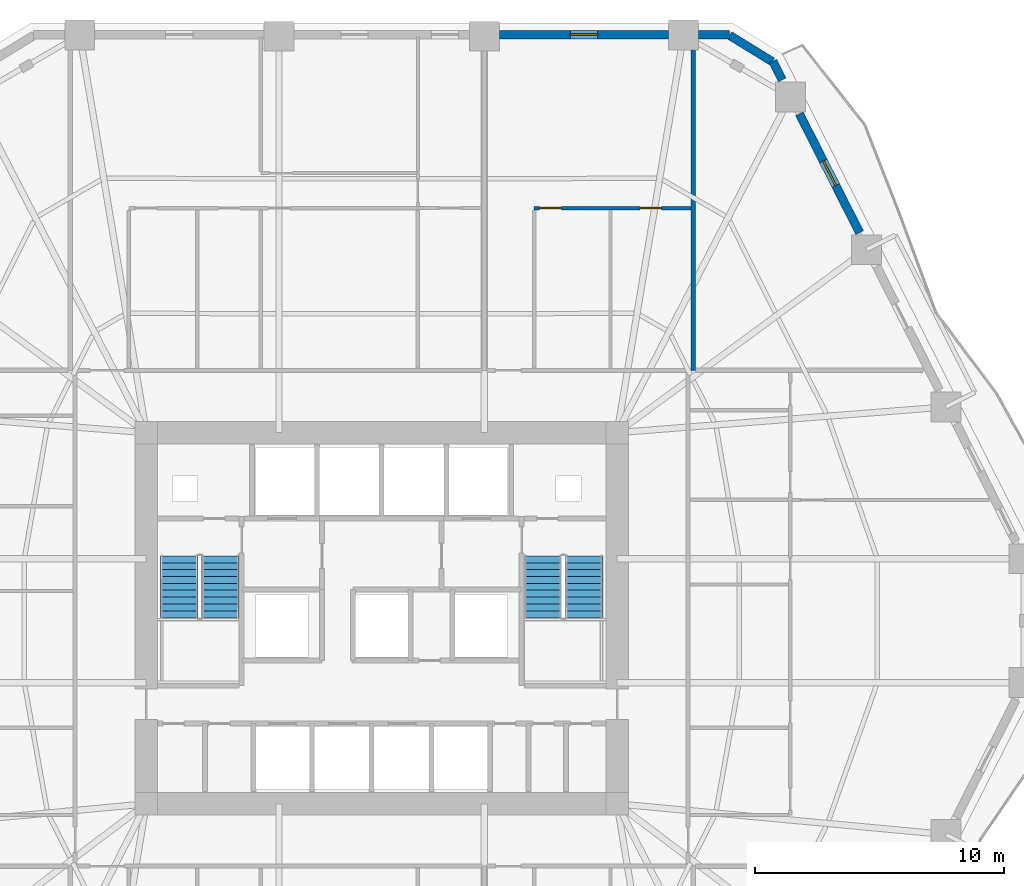
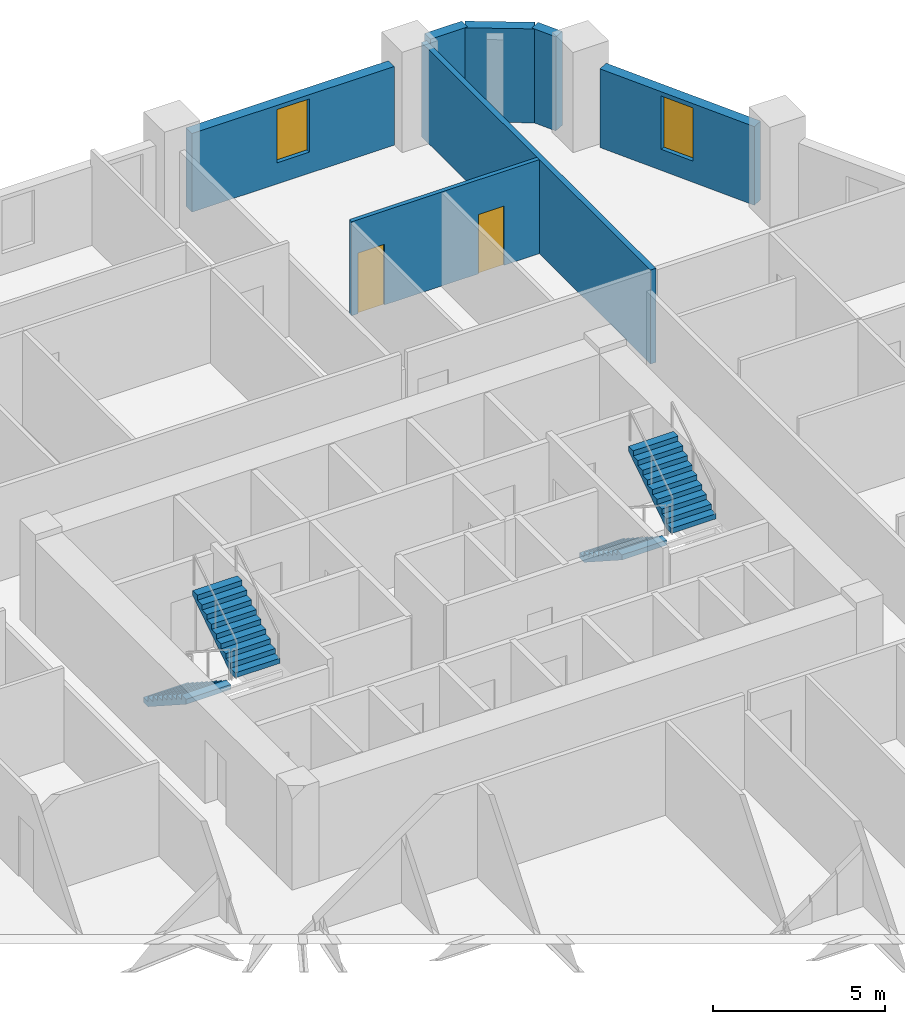
# One storey, part 8 of 11: 7 walls, 4 stair flights, 2 doors, 2 windows, 4 openings, 2 elements without a shape of their own.
"""IFC4 building model written with IfcOpenShell, lengths in metres."""

from ifc_helpers import new_model, si_unit, direction, frame, frame_2d, origin, place, context, subcontext, project, spatial, polyline, rectangle, outline, extrude, material, layer, layer_set, type_object, element, fill, aggregate, save


model = new_model("IFC4")

# Units and contexts
model_context = context("Model", 3, precision=1e-05, world=origin(), true_north=direction((0.0, 1.0)))
body_context = subcontext(model_context, "Body", "Model", "MODEL_VIEW")
ifc_project = project(units=[si_unit("LENGTHUNIT", "METRE"), si_unit("AREAUNIT", "SQUARE_METRE"), si_unit("VOLUMEUNIT", "CUBIC_METRE"), si_unit("PLANEANGLEUNIT", "RADIAN"), si_unit("MASSUNIT", "GRAM", prefix="KILO")], contexts=[model_context])

# Site, building, storey
site_placement = place(None, origin())
site = spatial("IfcSite", under=ifc_project, at=site_placement, CompositionType="ELEMENT")
building_placement = place(site_placement, origin())
building = spatial("IfcBuilding", under=site, at=building_placement, Name="Cinnabar Lancet Tower", CompositionType="ELEMENT")
storey_placement = place(building_placement, frame((0.0, 0.0, 56.85009765625)))
storey = spatial("IfcBuildingStorey", under=building, at=storey_placement, Name="L14", CompositionType="ELEMENT", Elevation=56.85009765625)

# Wall
ifc_material_1 = material(Name="Fire-rated twin-frame acoustic drywall", Category="gypsum")
ifc_layer_1 = layer(ifc_material_1, 0.179931640625)
ifc_layer_set_1 = layer_set([ifc_layer_1], Name="Fire-rated twin-frame acoustic drywall")
wall_type_1 = type_object("IfcWallType", Name="ARC-WL-PARTY-180", PredefinedType="PARTITIONING", material=ifc_layer_set_1)
wall_1_placement = place(storey_placement, frame((44.89990234375, 35.85009765625, 0.0), z_axis=(0.0, 0.0, 1.0), x_axis=(0.0, 1.0, 0.0)))
element("IfcWall", 1, at=wall_1_placement, inside=storey, type_object=wall_type_1, Name="PW-L14-NPTY-449", PredefinedType="PARTITIONING", context=body_context, shape_type="SweptSolid", body=[
    extrude(rectangle(XDim=13.294921875, YDim=0.179931640625, at=frame_2d((6.6474609375, 0.0))), origin(), (0.0, 0.0, 1.0), 3.329833984375),
])

# Wall, openings, doors
ifc_material_2 = material(Name="Moisture-resistant cement-board plumbing wall", Category="masonry")
ifc_layer_2 = layer(ifc_material_2, 0.139892578125)
ifc_layer_set_2 = layer_set([ifc_layer_2], Name="Moisture-resistant cement-board plumbing wall")
wall_type_2 = type_object("IfcWallType", Name="ARC-WL-WET-140", PredefinedType="PLUMBINGWALL", material=ifc_layer_set_2)
wall_2_placement = place(storey_placement, frame((38.52197265625, 42.364990234375, 0.0), z_axis=(0.0, 0.0, 1.0), x_axis=(1.0, 0.0, 0.0)))
wall_2 = element("IfcWall", 2, at=wall_2_placement, inside=storey, type_object=wall_type_2, Name="UW-L14-N02-SPL", PredefinedType="PLUMBINGWALL", context=body_context, shape_type="SweptSolid", body=[
    extrude(rectangle(XDim=6.282958984375, YDim=0.139892578125, at=frame_2d((3.1416015625, 0.0))), origin(), (0.0, 0.0, 1.0), 3.329833984375),
])
opening_1_placement = place(wall_2_placement, frame((4.2470703125, 0.0, 0.0)))
opening_1 = element("IfcOpeningElement", 3, at=opening_1_placement, cuts=wall_2, Name="Opening BD-01", PredefinedType="OPENING", context=body_context, shape_type="SweptSolid", body=[
    extrude(rectangle(XDim=0.860107421875, YDim=2.10009765625, at=frame_2d((0.43017578125, 1.050048828125))), frame((0.0, 0.079833984375, 0.0), z_axis=(0.0, -1.0, 0.0), x_axis=(1.0, 0.0, 0.0)), (0.0, 0.0, 1.0), 0.159912109375),
])
opening_2_placement = place(wall_2_placement, frame((0.219970703125, 0.0, 0.0)))
opening_2 = element("IfcOpeningElement", 4, at=opening_2_placement, cuts=wall_2, Name="Opening RD-02", PredefinedType="OPENING", context=body_context, shape_type="SweptSolid", body=[
    extrude(rectangle(XDim=0.8798828125, YDim=2.14990234375, at=frame_2d((0.43994140625, 1.074951171875))), frame((0.0, 0.079833984375, 0.0), z_axis=(0.0, -1.0, 0.0), x_axis=(1.0, 0.0, 0.0)), (0.0, 0.0, 1.0), 0.159912109375),
])
ifc_material_3 = material(Name="Moisture-resistant timber bathroom door", Category="wood")
door_type_1 = type_object("IfcDoorType", Name="ARC-DR-BATH", OperationType="NOTDEFINED", PredefinedType="DOOR", material=ifc_material_3)
door_1_placement = place(opening_1_placement, origin())
door_1 = element("IfcDoor", 5, at=door_1_placement, inside=storey, type_object=door_type_1, Name="DR-L14-N02-BTH", OperationType="SINGLE_SWING_LEFT", OverallHeight=2.10009765625, OverallWidth=0.860107421875, PredefinedType="DOOR", context=body_context, shape_type="SweptSolid", body=[
    extrude(rectangle(XDim=0.860107421875, YDim=2.10009765625, at=frame_2d((0.43017578125, 1.050048828125))), frame((0.0, 0.02490234375, 0.0), z_axis=(0.0, -1.0, 0.0), x_axis=(1.0, 0.0, 0.0)), (0.0, 0.0, 1.0), 0.050048828125),
])
fill(opening_1, door_1)
ifc_material_4 = material(Name="Engineered timber study door", Category="wood")
door_type_2 = type_object("IfcDoorType", Name="ARC-DR-STUDY", OperationType="NOTDEFINED", PredefinedType="DOOR", material=ifc_material_4)
door_2_placement = place(opening_2_placement, origin())
door_2 = element("IfcDoor", 6, at=door_2_placement, inside=storey, type_object=door_type_2, Name="DR-L14-N02-KIT", OperationType="SINGLE_SWING_RIGHT", OverallHeight=2.14990234375, OverallWidth=0.8798828125, PredefinedType="DOOR", context=body_context, shape_type="SweptSolid", body=[
    extrude(rectangle(XDim=0.8798828125, YDim=2.14990234375, at=frame_2d((0.43994140625, 1.074951171875))), frame((0.0, 0.02490234375, 0.0), z_axis=(0.0, -1.0, 0.0), x_axis=(1.0, 0.0, 0.0)), (0.0, 0.0, 1.0), 0.050048828125),
])
fill(opening_2, door_2)

# Wall
ifc_material_5 = material(Name="Cinnabar red clay brick", Category="masonry")
ifc_layer_3 = layer(ifc_material_5, 0.340087890625)
ifc_layer_set_3 = layer_set([ifc_layer_3], Name="Cinnabar red clay brick")
wall_type_3 = type_object("IfcWallType", Name="ENV-WL-BRK-RED-340", PredefinedType="STANDARD", material=ifc_layer_set_3)
wall_3_placement = place(storey_placement, frame((48.080078125, 48.238037109375, 0.0), z_axis=(0.0, 0.0, 1.0), x_axis=(-0.851870104345, 0.523753114857, 0.0)))
element("IfcWall", 7, at=wall_3_placement, inside=storey, type_object=wall_type_3, Name="L14 Chamfered Corner Brick Pier 4.1", PredefinedType="STANDARD", context=body_context, shape_type="SweptSolid", body=[
    extrude(rectangle(XDim=2.017822265625, YDim=0.340087890625, at=frame_2d((1.0087890625, 0.0))), origin(), (0.0, 0.0, 1.0), 3.329833984375),
])

# Wall, opening, window
wall_4_placement = place(storey_placement, frame((51.5830078125, 41.3720703125, 0.0), z_axis=(0.0, 0.0, 1.0), x_axis=(-0.451697561555, 0.892171123095, 0.0)))
wall_4 = element("IfcWall", 8, at=wall_4_placement, inside=storey, type_object=wall_type_3, Name="L14 Face 3 Masonry Bay Wall 4", PredefinedType="STANDARD", context=body_context, shape_type="SweptSolid", body=[
    extrude(rectangle(XDim=5.350830078125, YDim=0.340087890625, at=frame_2d((2.67529296875, 0.0))), origin(), (0.0, 0.0, 1.0), 2.786865234375),
])
opening_3_placement = place(wall_4_placement, frame((2.125, 0.0, 0.75)))
opening_3 = element("IfcOpeningElement", 9, at=opening_3_placement, cuts=wall_4, Name="Opening WN-04", PredefinedType="OPENING", context=body_context, shape_type="SweptSolid", body=[
    extrude(rectangle(XDim=1.10009765625, YDim=1.886962890625, at=frame_2d((0.550048828125, 0.943359375))), frame((0.0, 0.179931640625, 0.0), z_axis=(0.0, -1.0, 0.0), x_axis=(1.0, 0.0, 0.0)), (0.0, 0.0, 1.0), 0.360107421875),
])
ifc_material_6 = material(Name="Thermally broken bronze-anodized aluminium tall lancet window", Category="aluminium")
window_type = type_object("IfcWindowType", Name="ENV-WN-LANCET-1100", PartitioningType="SINGLE_PANEL", PredefinedType="WINDOW", material=ifc_material_6)
window_1_placement = place(opening_3_placement, origin())
window_1 = element("IfcWindow", 10, at=window_1_placement, inside=storey, type_object=window_type, Name="L14 Face 3 Gothic Lancet Window 4", OverallHeight=1.886962890625, OverallWidth=1.10009765625, PartitioningType="SINGLE_PANEL", PredefinedType="WINDOW", context=body_context, shape_type="SweptSolid", body=[
    extrude(rectangle(XDim=1.10009765625, YDim=1.886962890625, at=frame_2d((0.550048828125, 0.943359375))), frame((0.0, 0.030029296875, 0.0), z_axis=(0.0, -1.0, 0.0), x_axis=(1.0, 0.0, 0.0)), (0.0, 0.0, 1.0), 0.06005859375),
])
fill(opening_3, window_1)

# Walls
wall_5_placement = place(storey_placement, frame((48.47802734375, 47.508056640625, 0.0), z_axis=(0.0, 0.0, 1.0), x_axis=(-0.451995771866, 0.892020079491, 0.0)))
element("IfcWall", 11, at=wall_5_placement, inside=storey, type_object=wall_type_3, Name="L14 Face 3 Masonry Bay Wall 5", PredefinedType="STANDARD", context=body_context, shape_type="SweptSolid", body=[
    extrude(rectangle(XDim=0.836181640625, YDim=0.340087890625, at=frame_2d((0.41796875, 0.0))), origin(), (0.0, 0.0, 1.0), 3.329833984375),
])
wall_6_placement = place(storey_placement, frame((46.365966796875, 49.320068359375, 0.0), z_axis=(0.0, 0.0, 1.0), x_axis=(-1.0, 0.0, 0.0)))
element("IfcWall", 12, at=wall_6_placement, inside=storey, type_object=wall_type_3, Name="L14 Face 4 Masonry Bay Wall 1", PredefinedType="STANDARD", context=body_context, shape_type="SweptSolid", body=[
    extrude(rectangle(XDim=1.244873046875, YDim=0.340087890625, at=frame_2d((0.62255859375, 0.0))), origin(), (0.0, 0.0, 1.0), 3.329833984375),
])

# Wall, opening, window
wall_7_placement = place(storey_placement, frame((43.9130859375, 49.320068359375, 0.0), z_axis=(0.0, 0.0, 1.0), x_axis=(-1.0, 0.0, 0.0)))
wall_7 = element("IfcWall", 13, at=wall_7_placement, inside=storey, type_object=wall_type_3, Name="L14 Face 4 Masonry Bay Wall 2", PredefinedType="STANDARD", context=body_context, shape_type="SweptSolid", body=[
    extrude(rectangle(XDim=6.787109375, YDim=0.340087890625, at=frame_2d((3.3935546875, 0.0))), origin(), (0.0, 0.0, 1.0), 2.786865234375),
])
opening_4_placement = place(wall_7_placement, frame((2.843017578125, 0.0, 0.75)))
opening_4 = element("IfcOpeningElement", 14, at=opening_4_placement, cuts=wall_7, Name="Opening WN-04", PredefinedType="OPENING", context=body_context, shape_type="SweptSolid", body=[
    extrude(rectangle(XDim=1.10009765625, YDim=1.886962890625, at=frame_2d((0.550048828125, 0.943359375))), frame((0.0, 0.179931640625, 0.0), z_axis=(0.0, -1.0, 0.0), x_axis=(1.0, 0.0, 0.0)), (0.0, 0.0, 1.0), 0.360107421875),
])
window_2_placement = place(opening_4_placement, origin())
window_2 = element("IfcWindow", 15, at=window_2_placement, inside=storey, type_object=window_type, Name="L14 Face 4 Gothic Lancet Window 2", OverallHeight=1.886962890625, OverallWidth=1.10009765625, PartitioningType="SINGLE_PANEL", PredefinedType="WINDOW", context=body_context, shape_type="SweptSolid", body=[
    extrude(rectangle(XDim=1.10009765625, YDim=1.886962890625, at=frame_2d((0.550048828125, 0.943359375))), frame((0.0, 0.030029296875, 0.0), z_axis=(0.0, -1.0, 0.0), x_axis=(1.0, 0.0, 0.0)), (0.0, 0.0, 1.0), 0.06005859375),
])
fill(opening_4, window_2)

# Stair, stair flights
ifc_material_7 = material(Name="Concrete C40/50", Category="concrete")
stair_type = type_object("IfcStairType", Name="ST-CORE", PredefinedType="HALF_TURN_STAIR", material=ifc_material_7)
stair_1_placement = place(storey_placement, origin())
stair_1 = element("IfcStair", 16, at=stair_1_placement, inside=storey, type_object=stair_type, Name="L14 ST-1", PredefinedType="HALF_TURN_STAIR")
ifc_material_8 = material(Name="Concrete C40/50", Category="concrete")
stair_flight_type = type_object("IfcStairFlightType", Name="FLIGHT-CORE", PredefinedType="STRAIGHT", material=ifc_material_8)
stair_flight_1_placement = place(storey_placement, frame((24.27490234375, 28.39990234375, 0.0), z_axis=(0.0, 0.0, 1.0), x_axis=(0.0, -1.0, 0.0)))
stair_flight_1 = element("IfcStairFlight", 17, at=stair_flight_1_placement, type_object=stair_flight_type, Name="ST-1 flight 1", NumberOfRisers=10, NumberOfTreads=9, PredefinedType="STRAIGHT", RiserHeight=0.1775, TreadLength=0.275, context=body_context, shape_type="SweptSolid", body=[
    extrude(outline(polyline([(0.0, 0.0), (0.0, 0.177490234375), (0.27490234375, 0.177490234375), (0.27490234375, 0.35498046875), (0.550048828125, 0.35498046875), (0.550048828125, 0.532470703125), (0.824951171875, 0.532470703125), (0.824951171875, 0.7099609375), (1.10009765625, 0.7099609375), (1.10009765625, 0.887451171875), (1.375, 0.887451171875), (1.375, 1.06494140625), (1.64990234375, 1.06494140625), (1.64990234375, 1.242431640625), (1.925048828125, 1.242431640625), (1.925048828125, 1.419921875), (2.199951171875, 1.419921875), (2.199951171875, 1.597412109375), (2.47509765625, 1.597412109375), (2.47509765625, 1.77490234375), (2.47509765625, 1.419189453125), (0.2763671875, 0.0), (0.0, 0.0)])), frame((0.0, 0.75, 0.0), z_axis=(0.0, -1.0, 0.0), x_axis=(1.0, 0.0, 0.0)), (0.0, 0.0, 1.0), 1.5),
])
stair_flight_2_placement = place(storey_placement, frame((25.925048828125, 25.925048828125, 1.77490234375), z_axis=(0.0, 0.0, 1.0), x_axis=(0.0, 1.0, 0.0)))
stair_flight_2 = element("IfcStairFlight", 18, at=stair_flight_2_placement, type_object=stair_flight_type, Name="ST-1 flight 2", NumberOfRisers=10, NumberOfTreads=9, PredefinedType="STRAIGHT", RiserHeight=0.1775, TreadLength=0.275, context=body_context, shape_type="SweptSolid", body=[
    extrude(outline(polyline([(0.0, 0.0), (0.0, 0.177490234375), (0.27490234375, 0.177490234375), (0.27490234375, 0.35498046875), (0.550048828125, 0.35498046875), (0.550048828125, 0.532470703125), (0.824951171875, 0.532470703125), (0.824951171875, 0.7099609375), (1.10009765625, 0.7099609375), (1.10009765625, 0.887451171875), (1.375, 0.887451171875), (1.375, 1.06494140625), (1.64990234375, 1.06494140625), (1.64990234375, 1.242431640625), (1.925048828125, 1.242431640625), (1.925048828125, 1.419921875), (2.199951171875, 1.419921875), (2.199951171875, 1.597412109375), (2.47509765625, 1.597412109375), (2.47509765625, 1.77490234375), (2.47509765625, 1.419189453125), (0.2763671875, 0.0), (0.0, 0.0)])), frame((0.0, 0.75, 0.0), z_axis=(0.0, -1.0, 0.0), x_axis=(1.0, 0.0, 0.0)), (0.0, 0.0, 1.0), 1.5),
])
aggregate(stair_1, [stair_flight_1, stair_flight_2])

stair_2_placement = place(storey_placement, origin())
stair_2 = element("IfcStair", 19, at=stair_2_placement, inside=storey, type_object=stair_type, Name="L14 ST-2", PredefinedType="HALF_TURN_STAIR")
stair_flight_3_placement = place(storey_placement, frame((38.875, 28.39990234375, 0.0), z_axis=(0.0, 0.0, 1.0), x_axis=(0.0, -1.0, 0.0)))
stair_flight_3 = element("IfcStairFlight", 20, at=stair_flight_3_placement, type_object=stair_flight_type, Name="ST-2 flight 1", NumberOfRisers=10, NumberOfTreads=9, PredefinedType="STRAIGHT", RiserHeight=0.1775, TreadLength=0.275, context=body_context, shape_type="SweptSolid", body=[
    extrude(outline(polyline([(0.0, 0.0), (0.0, 0.177490234375), (0.27490234375, 0.177490234375), (0.27490234375, 0.35498046875), (0.550048828125, 0.35498046875), (0.550048828125, 0.532470703125), (0.824951171875, 0.532470703125), (0.824951171875, 0.7099609375), (1.10009765625, 0.7099609375), (1.10009765625, 0.887451171875), (1.375, 0.887451171875), (1.375, 1.06494140625), (1.64990234375, 1.06494140625), (1.64990234375, 1.242431640625), (1.925048828125, 1.242431640625), (1.925048828125, 1.419921875), (2.199951171875, 1.419921875), (2.199951171875, 1.597412109375), (2.47509765625, 1.597412109375), (2.47509765625, 1.77490234375), (2.47509765625, 1.419189453125), (0.2763671875, 0.0), (0.0, 0.0)])), frame((0.0, 0.75, 0.0), z_axis=(0.0, -1.0, 0.0), x_axis=(1.0, 0.0, 0.0)), (0.0, 0.0, 1.0), 1.5),
])
stair_flight_4_placement = place(storey_placement, frame((40.52490234375, 25.925048828125, 1.77490234375), z_axis=(0.0, 0.0, 1.0), x_axis=(0.0, 1.0, 0.0)))
stair_flight_4 = element("IfcStairFlight", 21, at=stair_flight_4_placement, type_object=stair_flight_type, Name="ST-2 flight 2", NumberOfRisers=10, NumberOfTreads=9, PredefinedType="STRAIGHT", RiserHeight=0.1775, TreadLength=0.275, context=body_context, shape_type="SweptSolid", body=[
    extrude(outline(polyline([(0.0, 0.0), (0.0, 0.177490234375), (0.27490234375, 0.177490234375), (0.27490234375, 0.35498046875), (0.550048828125, 0.35498046875), (0.550048828125, 0.532470703125), (0.824951171875, 0.532470703125), (0.824951171875, 0.7099609375), (1.10009765625, 0.7099609375), (1.10009765625, 0.887451171875), (1.375, 0.887451171875), (1.375, 1.06494140625), (1.64990234375, 1.06494140625), (1.64990234375, 1.242431640625), (1.925048828125, 1.242431640625), (1.925048828125, 1.419921875), (2.199951171875, 1.419921875), (2.199951171875, 1.597412109375), (2.47509765625, 1.597412109375), (2.47509765625, 1.77490234375), (2.47509765625, 1.419189453125), (0.2763671875, 0.0), (0.0, 0.0)])), frame((0.0, 0.75, 0.0), z_axis=(0.0, -1.0, 0.0), x_axis=(1.0, 0.0, 0.0)), (0.0, 0.0, 1.0), 1.5),
])
aggregate(stair_2, [stair_flight_3, stair_flight_4])

save(model, "model.ifc")
